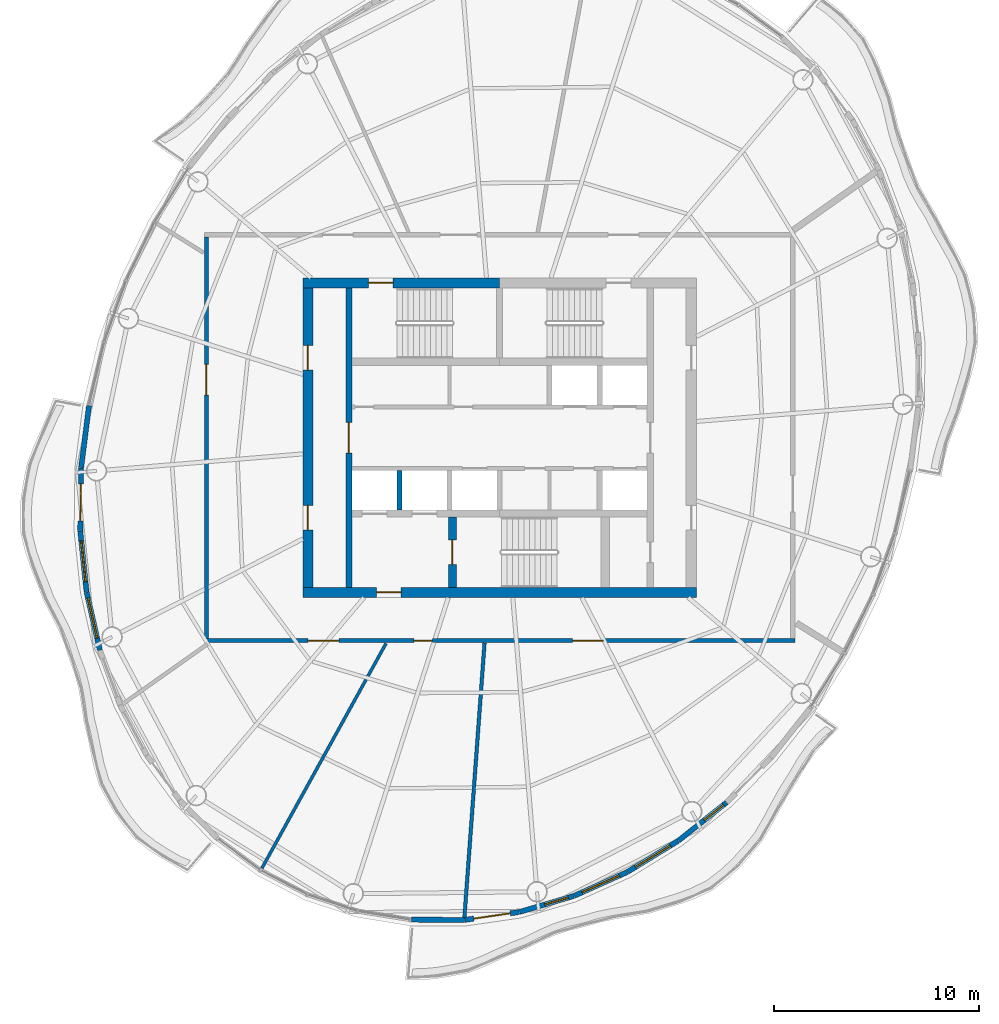
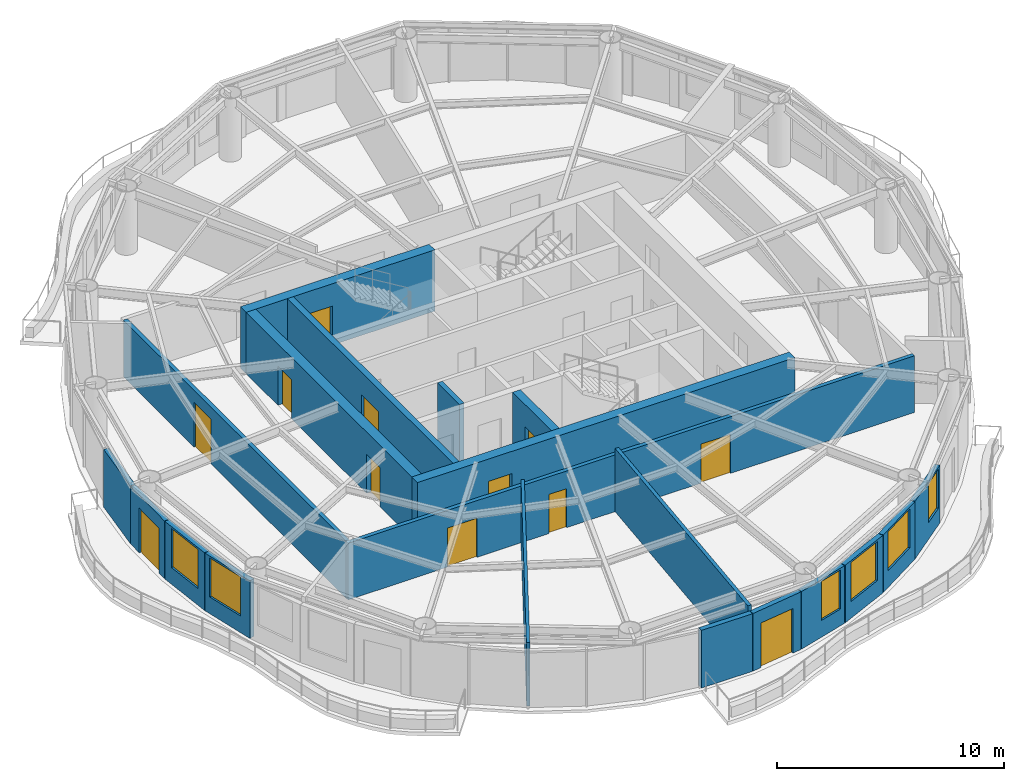
# One storey, part 7 of 13: 20 walls, 12 doors, 6 windows, 18 openings.
"""IFC4 building model written with IfcOpenShell, lengths in metres."""

from ifc_helpers import new_model, si_unit, direction, frame, frame_2d, origin, place, context, subcontext, project, spatial, rectangle, extrude, material, layer, layer_set, type_object, element, fill, save


model = new_model("IFC4")

# Units and contexts
model_context = context("Model", 3, precision=1e-05, world=origin(), true_north=direction((0.0, 1.0)))
body_context = subcontext(model_context, "Body", "Model", "MODEL_VIEW")
ifc_project = project(units=[si_unit("LENGTHUNIT", "METRE"), si_unit("AREAUNIT", "SQUARE_METRE"), si_unit("VOLUMEUNIT", "CUBIC_METRE"), si_unit("PLANEANGLEUNIT", "RADIAN"), si_unit("MASSUNIT", "GRAM", prefix="KILO")], contexts=[model_context])

# Site, building, storey
site_placement = place(None, origin())
site = spatial("IfcSite", under=ifc_project, at=site_placement, CompositionType="ELEMENT")
building_placement = place(site_placement, origin())
building = spatial("IfcBuilding", under=site, at=building_placement, Name="Vermilion Reach Broadcast Tower", CompositionType="ELEMENT")
storey_placement = place(building_placement, frame((0.0, 0.0, 300.89990234375)))
storey = spatial("IfcBuildingStorey", under=building, at=storey_placement, Name="L75", CompositionType="ELEMENT", Elevation=300.89990234375)

# Wall, opening, door
ifc_material_1 = material(Name="Concrete C50", Category="concrete")
ifc_layer_1 = layer(ifc_material_1, 0.300048828125)
ifc_layer_set_1 = layer_set([ifc_layer_1], Name="Core inner wall 300 mm Concrete C50")
wall_type_1 = type_object("IfcWallType", Name="Core inner wall 300 mm Concrete C50", PredefinedType="SHEAR", material=ifc_layer_set_1)
wall_1_placement = place(storey_placement, frame((-13.35009765625, 7.300048828125, 0.0), z_axis=(0.0, 0.0, 1.0), x_axis=(0.0, -1.0, 0.0)))
wall_1 = element("IfcWall", 1, at=wall_1_placement, inside=storey, type_object=wall_type_1, Name="L75 core wall ewW", PredefinedType="SHEAR", context=body_context, shape_type="SweptSolid", body=[
    extrude(rectangle(XDim=14.60009765625, YDim=0.300048828125, at=frame_2d((7.300048828125, 0.0))), origin(), (0.0, 0.0, 1.0), 3.300048828125),
])
opening_1_placement = place(wall_1_placement, frame((6.550048828125, 0.0, 0.0)))
opening_1 = element("IfcOpeningElement", 2, at=opening_1_placement, cuts=wall_1, Name="Opening D04", PredefinedType="OPENING", context=body_context, shape_type="SweptSolid", body=[
    extrude(rectangle(XDim=1.5, YDim=2.10009765625, at=frame_2d((0.75, 1.050048828125))), frame((0.0, 0.159912109375, 0.0), z_axis=(0.0, -1.0, 0.0), x_axis=(1.0, 0.0, 0.0)), (0.0, 0.0, 1.0), 0.320068359375),
])
ifc_material_2 = material(Name="Painted steel fire door", Category="steel")
door_type_1 = type_object("IfcDoorType", Name="Lift lobby door 1500 x 2100", OperationType="DOUBLE_DOOR_SINGLE_SWING", PredefinedType="NOTDEFINED", material=ifc_material_2)
door_1_placement = place(opening_1_placement, origin())
door_1 = element("IfcDoor", 3, at=door_1_placement, inside=storey, type_object=door_type_1, Name="L75 band door BW", OperationType="DOUBLE_DOOR_SINGLE_SWING", OverallHeight=2.10009765625, OverallWidth=1.5, PredefinedType="NOTDEFINED", context=body_context, shape_type="SweptSolid", body=[
    extrude(rectangle(XDim=1.5, YDim=2.10009765625, at=frame_2d((0.75, 1.050048828125))), frame((0.0, 0.02490234375, 0.0), z_axis=(0.0, -1.0, 0.0), x_axis=(1.0, 0.0, 0.0)), (0.0, 0.0, 1.0), 0.050048828125),
])
fill(opening_1, door_1)

ifc_material_3 = material(Name="Concrete C50", Category="concrete")
ifc_layer_2 = layer(ifc_material_3, 0.39990234375)
ifc_layer_set_2 = layer_set([ifc_layer_2], Name="Core inner wall 400 mm Concrete C50")
wall_type_2 = type_object("IfcWallType", Name="Core inner wall 400 mm Concrete C50", PredefinedType="SHEAR", material=ifc_layer_set_2)
wall_2_placement = place(storey_placement, frame((-8.300048828125, -3.8798828125, 0.0), z_axis=(0.0, 0.0, 1.0), x_axis=(0.0, -1.0, 0.0)))
wall_2 = element("IfcWall", 4, at=wall_2_placement, inside=storey, type_object=wall_type_2, Name="L75 core wall wa", PredefinedType="SHEAR", context=body_context, shape_type="SweptSolid", body=[
    extrude(rectangle(XDim=3.420166015625, YDim=0.39990234375, at=frame_2d((1.7099609375, 0.0))), origin(), (0.0, 0.0, 1.0), 3.300048828125),
])
opening_2_placement = place(wall_2_placement, frame((1.110107421875, 0.0, 0.0)))
opening_2 = element("IfcOpeningElement", 5, at=opening_2_placement, cuts=wall_2, Name="Opening D01", PredefinedType="OPENING", context=body_context, shape_type="SweptSolid", body=[
    extrude(rectangle(XDim=1.199951171875, YDim=2.10009765625, at=frame_2d((0.60009765625, 1.050048828125))), frame((0.0, 0.2099609375, 0.0), z_axis=(0.0, -1.0, 0.0), x_axis=(1.0, 0.0, 0.0)), (0.0, 0.0, 1.0), 0.419921875),
])
ifc_material_4 = material(Name="Painted steel fire door", Category="steel")
door_type_2 = type_object("IfcDoorType", Name="Stair door 1200 x 2100", OperationType="DOUBLE_DOOR_SINGLE_SWING", PredefinedType="NOTDEFINED", material=ifc_material_4)
door_2_placement = place(opening_2_placement, origin())
door_2 = element("IfcDoor", 6, at=door_2_placement, inside=storey, type_object=door_type_2, Name="L75 stair door ST3", OperationType="DOUBLE_DOOR_SINGLE_SWING", OverallHeight=2.10009765625, OverallWidth=1.199951171875, PredefinedType="NOTDEFINED", context=body_context, shape_type="SweptSolid", body=[
    extrude(rectangle(XDim=1.199951171875, YDim=2.10009765625, at=frame_2d((0.60009765625, 1.050048828125))), frame((0.0, 0.02490234375, 0.0), z_axis=(0.0, -1.0, 0.0), x_axis=(1.0, 0.0, 0.0)), (0.0, 0.0, 1.0), 0.050048828125),
])
fill(opening_2, door_2)

ifc_material_5 = material(Name="Concrete C50", Category="concrete")
ifc_layer_3 = layer(ifc_material_5, 0.5)
ifc_layer_set_3 = layer_set([ifc_layer_3], Name="Core outer wall 500 mm Concrete C50")
wall_type_3 = type_object("IfcWallType", Name="Core outer wall 500 mm Concrete C50", PredefinedType="SHEAR", material=ifc_layer_set_3)
wall_3_placement = place(storey_placement, frame((-6.0, 7.550048828125, 0.0), z_axis=(0.0, 0.0, 1.0), x_axis=(-1.0, 0.0, 0.0)))
wall_3 = element("IfcWall", 7, at=wall_3_placement, inside=storey, type_object=wall_type_3, Name="L75 core wall onW", PredefinedType="SHEAR", context=body_context, shape_type="SweptSolid", body=[
    extrude(rectangle(XDim=9.60009765625, YDim=0.5, at=frame_2d((4.800048828125, 0.0))), origin(), (0.0, 0.0, 1.0), 3.300048828125),
])
opening_3_placement = place(wall_3_placement, frame((5.199951171875, 0.0, 0.0)))
opening_3 = element("IfcOpeningElement", 8, at=opening_3_placement, cuts=wall_3, Name="Opening D01", PredefinedType="OPENING", context=body_context, shape_type="SweptSolid", body=[
    extrude(rectangle(XDim=1.199951171875, YDim=2.10009765625, at=frame_2d((0.60009765625, 1.050048828125))), frame((0.0, 0.260009765625, 0.0), z_axis=(0.0, -1.0, 0.0), x_axis=(1.0, 0.0, 0.0)), (0.0, 0.0, 1.0), 0.52001953125),
])
door_3_placement = place(opening_3_placement, origin())
door_3 = element("IfcDoor", 9, at=door_3_placement, inside=storey, type_object=door_type_2, Name="L75 stair door ST1", OperationType="DOUBLE_DOOR_SINGLE_SWING", OverallHeight=2.10009765625, OverallWidth=1.199951171875, PredefinedType="NOTDEFINED", context=body_context, shape_type="SweptSolid", body=[
    extrude(rectangle(XDim=1.199951171875, YDim=2.10009765625, at=frame_2d((0.60009765625, 1.050048828125))), frame((0.0, 0.02490234375, 0.0), z_axis=(0.0, -1.0, 0.0), x_axis=(1.0, 0.0, 0.0)), (0.0, 0.0, 1.0), 0.050048828125),
])
fill(opening_3, door_3)

wall_4_placement = place(storey_placement, frame((-15.60009765625, -7.550048828125, 0.0), z_axis=(0.0, 0.0, 1.0), x_axis=(1.0, 0.0, 0.0)))
wall_4 = element("IfcWall", 10, at=wall_4_placement, inside=storey, type_object=wall_type_3, Name="L75 core wall os", PredefinedType="SHEAR", context=body_context, shape_type="SweptSolid", body=[
    extrude(rectangle(XDim=19.2001953125, YDim=0.5, at=frame_2d((9.60009765625, 0.0))), origin(), (0.0, 0.0, 1.0), 3.300048828125),
])
opening_4_placement = place(wall_4_placement, frame((3.60009765625, 0.0, 0.0)))
opening_4 = element("IfcOpeningElement", 11, at=opening_4_placement, cuts=wall_4, Name="Opening D02", PredefinedType="OPENING", context=body_context, shape_type="SweptSolid", body=[
    extrude(rectangle(XDim=1.199951171875, YDim=2.10009765625, at=frame_2d((0.60009765625, 1.050048828125))), frame((0.0, 0.260009765625, 0.0), z_axis=(0.0, -1.0, 0.0), x_axis=(1.0, 0.0, 0.0)), (0.0, 0.0, 1.0), 0.52001953125),
])
ifc_material_6 = material(Name="Painted steel fire door", Category="steel")
door_type_3 = type_object("IfcDoorType", Name="Firefighting lobby door 1200 x 2100", OperationType="DOUBLE_DOOR_SINGLE_SWING", PredefinedType="NOTDEFINED", material=ifc_material_6)
door_4_placement = place(opening_4_placement, origin())
door_4 = element("IfcDoor", 12, at=door_4_placement, inside=storey, type_object=door_type_3, Name="L75 ffdoor door FFL", OperationType="DOUBLE_DOOR_SINGLE_SWING", OverallHeight=2.10009765625, OverallWidth=1.199951171875, PredefinedType="NOTDEFINED", context=body_context, shape_type="SweptSolid", body=[
    extrude(rectangle(XDim=1.199951171875, YDim=2.10009765625, at=frame_2d((0.60009765625, 1.050048828125))), frame((0.0, 0.02490234375, 0.0), z_axis=(0.0, -1.0, 0.0), x_axis=(1.0, 0.0, 0.0)), (0.0, 0.0, 1.0), 0.050048828125),
])
fill(opening_4, door_4)

# Wall, openings, doors
wall_5_placement = place(storey_placement, frame((-15.35009765625, 7.300048828125, 0.0), z_axis=(0.0, 0.0, 1.0), x_axis=(0.0, -1.0, 0.0)))
wall_5 = element("IfcWall", 13, at=wall_5_placement, inside=storey, type_object=wall_type_3, Name="L75 core wall ow", PredefinedType="SHEAR", context=body_context, shape_type="SweptSolid", body=[
    extrude(rectangle(XDim=14.60009765625, YDim=0.5, at=frame_2d((7.300048828125, 0.0))), origin(), (0.0, 0.0, 1.0), 3.300048828125),
])
opening_5_placement = place(wall_5_placement, frame((10.60009765625, 0.0, 0.0)))
opening_5 = element("IfcOpeningElement", 14, at=opening_5_placement, cuts=wall_5, Name="Opening D03", PredefinedType="OPENING", context=body_context, shape_type="SweptSolid", body=[
    extrude(rectangle(XDim=1.199951171875, YDim=2.10009765625, at=frame_2d((0.60009765625, 1.050048828125))), frame((0.0, 0.260009765625, 0.0), z_axis=(0.0, -1.0, 0.0), x_axis=(1.0, 0.0, 0.0)), (0.0, 0.0, 1.0), 0.52001953125),
])
opening_6_placement = place(wall_5_placement, frame((2.800048828125, 0.0, 0.0)))
opening_6 = element("IfcOpeningElement", 15, at=opening_6_placement, cuts=wall_5, Name="Opening D03", PredefinedType="OPENING", context=body_context, shape_type="SweptSolid", body=[
    extrude(rectangle(XDim=1.199951171875, YDim=2.10009765625, at=frame_2d((0.60009765625, 1.050048828125))), frame((0.0, 0.260009765625, 0.0), z_axis=(0.0, -1.0, 0.0), x_axis=(1.0, 0.0, 0.0)), (0.0, 0.0, 1.0), 0.52001953125),
])
ifc_material_7 = material(Name="Painted steel fire door", Category="steel")
door_type_4 = type_object("IfcDoorType", Name="Core lobby door 1200 x 2100", OperationType="DOUBLE_DOOR_SINGLE_SWING", PredefinedType="NOTDEFINED", material=ifc_material_7)
door_5_placement = place(opening_5_placement, origin())
door_5 = element("IfcDoor", 16, at=door_5_placement, inside=storey, type_object=door_type_4, Name="L75 slot door W0", OperationType="DOUBLE_DOOR_SINGLE_SWING", OverallHeight=2.10009765625, OverallWidth=1.199951171875, PredefinedType="NOTDEFINED", context=body_context, shape_type="SweptSolid", body=[
    extrude(rectangle(XDim=1.199951171875, YDim=2.10009765625, at=frame_2d((0.60009765625, 1.050048828125))), frame((0.0, 0.02490234375, 0.0), z_axis=(0.0, -1.0, 0.0), x_axis=(1.0, 0.0, 0.0)), (0.0, 0.0, 1.0), 0.050048828125),
])
fill(opening_5, door_5)
door_6_placement = place(opening_6_placement, origin())
door_6 = element("IfcDoor", 17, at=door_6_placement, inside=storey, type_object=door_type_4, Name="L75 slot door W1", OperationType="DOUBLE_DOOR_SINGLE_SWING", OverallHeight=2.10009765625, OverallWidth=1.199951171875, PredefinedType="NOTDEFINED", context=body_context, shape_type="SweptSolid", body=[
    extrude(rectangle(XDim=1.199951171875, YDim=2.10009765625, at=frame_2d((0.60009765625, 1.050048828125))), frame((0.0, 0.02490234375, 0.0), z_axis=(0.0, -1.0, 0.0), x_axis=(1.0, 0.0, 0.0)), (0.0, 0.0, 1.0), 0.050048828125),
])
fill(opening_6, door_6)

# Walls
ifc_material_8 = material(Name="Concrete C50", Category="concrete")
ifc_layer_4 = layer(ifc_material_8, 0.25)
ifc_layer_set_4 = layer_set([ifc_layer_4], Name="Core shaft wall 250 mm Concrete C50")
wall_type_4 = type_object("IfcWallType", Name="Core shaft wall 250 mm Concrete C50", PredefinedType="SHEAR", material=ifc_layer_set_4)
wall_6_placement = place(storey_placement, frame((-10.88330078125, -1.60009765625, 0.0), z_axis=(0.0, 0.0, 1.0), x_axis=(0.0, -1.0, 0.0)))
element("IfcWall", 18, at=wall_6_placement, inside=storey, type_object=wall_type_4, Name="L75 core wall psS0", PredefinedType="SHEAR", context=body_context, shape_type="SweptSolid", body=[
    extrude(rectangle(XDim=1.929931640625, YDim=0.25, at=frame_2d((0.96484375, 0.0))), origin(), (0.0, 0.0, 1.0), 3.300048828125),
])
ifc_material_9 = material(Name="Lightweight concrete block, plastered", Category="concrete")
ifc_layer_5 = layer(ifc_material_9, 0.14990234375)
ifc_layer_set_5 = layer_set([ifc_layer_5], Name="Partition 150 lightweight block")
wall_type_5 = type_object("IfcWallType", Name="Partition 150 lightweight block", PredefinedType="PARTITIONING", material=ifc_layer_set_5)
wall_7_placement = place(storey_placement, frame((-17.59423828125, -20.998779296875, 0.0), z_axis=(0.0, 0.0, 1.0), x_axis=(0.483345323909, 0.87542977894, 0.0)))
element("IfcWall", 19, at=wall_7_placement, inside=storey, type_object=wall_type_5, Name="Partition 75.05", PredefinedType="PARTITIONING", context=body_context, shape_type="SweptSolid", body=[
    extrude(rectangle(XDim=12.522705078125, YDim=0.14990234375, at=frame_2d((6.26123046875, 0.0))), origin(), (0.0, 0.0, 1.0), 3.400146484375),
])
ifc_material_10 = material(Name="Fire-rated block, plastered")
ifc_layer_6 = layer(ifc_material_10, 0.175048828125)
ifc_layer_set_6 = layer_set([ifc_layer_6], Name="Partition 175 fire-rated block")
wall_type_6 = type_object("IfcWallType", Name="Partition 175 fire-rated block", PredefinedType="PARTITIONING", material=ifc_layer_set_6)
wall_8_placement = place(storey_placement, frame((-7.71728515625, -23.400146484375, 0.0), z_axis=(0.0, 0.0, 1.0), x_axis=(0.07318865365, 0.997318114233, 0.0)))
element("IfcWall", 20, at=wall_8_placement, inside=storey, type_object=wall_type_6, Name="Partition 75.06", PredefinedType="PARTITIONING", context=body_context, shape_type="SweptSolid", body=[
    extrude(rectangle(XDim=13.429931640625, YDim=0.175048828125, at=frame_2d((6.71484375, 0.0))), origin(), (0.0, 0.0, 1.0), 3.400146484375),
])
ifc_material_11 = material(Name="Terracotta rainscreen cladding", Category="masonry")
ifc_layer_7 = layer(ifc_material_11, 0.25)
ifc_layer_set_7 = layer_set([ifc_layer_7], Name="Terracotta rainscreen wall 250")
wall_type_7 = type_object("IfcWallType", Name="Terracotta rainscreen wall 250", PredefinedType="SOLIDWALL", material=ifc_layer_set_7)
wall_9_placement = place(storey_placement, frame((-26.029541015625, 1.55908203125, 0.0), z_axis=(0.0, 0.0, 1.0), x_axis=(-0.126311602656, -0.991990614388, 0.0)))
element("IfcWall", 21, at=wall_9_placement, inside=storey, type_object=wall_type_7, Name="External wall L75 14", PredefinedType="SOLIDWALL", context=body_context, shape_type="SweptSolid", body=[
    extrude(rectangle(XDim=3.048095703125, YDim=0.25, at=frame_2d((1.52392578125, 0.0))), origin(), (0.0, 0.0, 1.0), 3.10009765625),
])

# Wall, opening, door
wall_10_placement = place(storey_placement, frame((-26.416015625, -1.486572265625, 0.0), z_axis=(0.0, 0.0, 1.0), x_axis=(-0.013889779276, -0.999903532363, 0.0)))
wall_10 = element("IfcWall", 22, at=wall_10_placement, inside=storey, type_object=wall_type_7, Name="External wall L75 15", PredefinedType="SOLIDWALL", context=body_context, shape_type="SweptSolid", body=[
    extrude(rectangle(XDim=3.040771484375, YDim=0.25, at=frame_2d((1.5205078125, 0.0))), origin(), (0.0, 0.0, 1.0), 3.10009765625),
])
opening_7_placement = place(wall_10_placement, frame((0.77001953125, 0.0, 0.0)))
opening_7 = element("IfcOpeningElement", 23, at=opening_7_placement, cuts=wall_10, Name="Opening D70", PredefinedType="OPENING", context=body_context, shape_type="SweptSolid", body=[
    extrude(rectangle(XDim=1.800048828125, YDim=2.39990234375, at=frame_2d((0.89990234375, 1.199951171875))), frame((0.0, 0.135009765625, 0.0), z_axis=(0.0, -1.0, 0.0), x_axis=(1.0, 0.0, 0.0)), (0.0, 0.0, 1.0), 0.27001953125),
])
ifc_material_12 = material(Name="Low-e laminated clear glass in aluminium frame", Category="aluminium")
door_type_5 = type_object("IfcDoorType", Name="Balcony sliding door 1800 x 2400", OperationType="DOUBLE_DOOR_SLIDING", PredefinedType="DOOR", material=ifc_material_12)
door_7_placement = place(opening_7_placement, origin())
door_7 = element("IfcDoor", 24, at=door_7_placement, inside=storey, type_object=door_type_5, Name="Balcony door L75 run 04", OperationType="DOUBLE_DOOR_SLIDING", OverallHeight=2.39990234375, OverallWidth=1.800048828125, PredefinedType="DOOR", context=body_context, shape_type="SweptSolid", body=[
    extrude(rectangle(XDim=1.800048828125, YDim=2.39990234375, at=frame_2d((0.89990234375, 1.199951171875))), frame((0.0, 0.02490234375, 0.0), z_axis=(0.0, -1.0, 0.0), x_axis=(1.0, 0.0, 0.0)), (0.0, 0.0, 1.0), 0.050048828125),
])
fill(opening_7, door_7)

# Wall, opening, window
wall_11_placement = place(storey_placement, frame((-26.457275390625, -4.549560546875, 0.0), z_axis=(0.0, 0.0, 1.0), x_axis=(0.102767633089, -0.994705390349, 0.0)))
wall_11 = element("IfcWall", 25, at=wall_11_placement, inside=storey, type_object=wall_type_7, Name="External wall L75 16", PredefinedType="SOLIDWALL", context=body_context, shape_type="SweptSolid", body=[
    extrude(rectangle(XDim=2.976806640625, YDim=0.25, at=frame_2d((1.48828125, 0.0))), origin(), (0.0, 0.0, 1.0), 3.10009765625),
])
opening_8_placement = place(wall_11_placement, frame((0.48828125, 0.0, 0.89990234375)))
opening_8 = element("IfcOpeningElement", 26, at=opening_8_placement, cuts=wall_11, Name="Opening W03", PredefinedType="OPENING", context=body_context, shape_type="SweptSolid", body=[
    extrude(rectangle(XDim=2.0, YDim=2.10009765625, at=frame_2d((1.0, 1.050048828125))), frame((0.0, 0.135009765625, 0.0), z_axis=(0.0, -1.0, 0.0), x_axis=(1.0, 0.0, 0.0)), (0.0, 0.0, 1.0), 0.27001953125),
])
ifc_material_13 = material(Name="Low-e laminated clear glass in aluminium frame", Category="aluminium")
window_type_1 = type_object("IfcWindowType", Name="Punched window 2000 x 2100 sill 900", PartitioningType="SINGLE_PANEL", PredefinedType="WINDOW", material=ifc_material_13)
window_1_placement = place(opening_8_placement, origin())
window_1 = element("IfcWindow", 27, at=window_1_placement, inside=storey, type_object=window_type_1, Name="Window L75 16", OverallHeight=2.10009765625, OverallWidth=2.0, PartitioningType="SINGLE_PANEL", PredefinedType="WINDOW", context=body_context, shape_type="SweptSolid", body=[
    extrude(rectangle(XDim=2.0, YDim=2.10009765625, at=frame_2d((1.0, 1.050048828125))), frame((0.0, 0.030029296875, 0.0), z_axis=(0.0, -1.0, 0.0), x_axis=(1.0, 0.0, 0.0)), (0.0, 0.0, 1.0), 0.06005859375),
])
fill(opening_8, window_1)

wall_12_placement = place(storey_placement, frame((-26.1474609375, -7.533447265625, 0.0), z_axis=(0.0, 0.0, 1.0), x_axis=(0.223256314802, -0.974759774458, 0.0)))
wall_12 = element("IfcWall", 28, at=wall_12_placement, inside=storey, type_object=wall_type_7, Name="External wall L75 17", PredefinedType="SOLIDWALL", context=body_context, shape_type="SweptSolid", body=[
    extrude(rectangle(XDim=2.9033203125, YDim=0.25, at=frame_2d((1.45166015625, 0.0))), origin(), (0.0, 0.0, 1.0), 3.10009765625),
])
opening_9_placement = place(wall_12_placement, frame((0.302001953125, 0.0, 0.89990234375)))
opening_9 = element("IfcOpeningElement", 29, at=opening_9_placement, cuts=wall_12, Name="Opening W03", PredefinedType="OPENING", context=body_context, shape_type="SweptSolid", body=[
    extrude(rectangle(XDim=2.0, YDim=2.10009765625, at=frame_2d((1.0, 1.050048828125))), frame((0.0, 0.135009765625, 0.0), z_axis=(0.0, -1.0, 0.0), x_axis=(1.0, 0.0, 0.0)), (0.0, 0.0, 1.0), 0.27001953125),
])
window_2_placement = place(opening_9_placement, origin())
window_2 = element("IfcWindow", 30, at=window_2_placement, inside=storey, type_object=window_type_1, Name="Window L75 17", OverallHeight=2.10009765625, OverallWidth=2.0, PartitioningType="SINGLE_PANEL", PredefinedType="WINDOW", context=body_context, shape_type="SweptSolid", body=[
    extrude(rectangle(XDim=2.0, YDim=2.10009765625, at=frame_2d((1.0, 1.050048828125))), frame((0.0, 0.030029296875, 0.0), z_axis=(0.0, -1.0, 0.0), x_axis=(1.0, 0.0, 0.0)), (0.0, 0.0, 1.0), 0.06005859375),
])
fill(opening_9, window_2)

# Wall
wall_13_placement = place(storey_placement, frame((-10.29736328125, -23.511474609375, 0.0), z_axis=(0.0, 0.0, 1.0), x_axis=(0.999986408608, -0.005213693476, 0.0)))
element("IfcWall", 31, at=wall_13_placement, inside=storey, type_object=wall_type_7, Name="External wall L75 26", PredefinedType="SOLIDWALL", context=body_context, shape_type="SweptSolid", body=[
    extrude(rectangle(XDim=2.575439453125, YDim=0.25, at=frame_2d((1.28759765625, 0.0))), origin(), (0.0, 0.0, 1.0), 3.10009765625),
])

# Wall, opening, door
wall_14_placement = place(storey_placement, frame((-7.6953125, -23.52294921875, 0.0), z_axis=(0.0, 0.0, 1.0), x_axis=(0.989681415389, 0.143285365734, 0.0)))
wall_14 = element("IfcWall", 32, at=wall_14_placement, inside=storey, type_object=wall_type_7, Name="External wall L75 27", PredefinedType="SOLIDWALL", context=body_context, shape_type="SweptSolid", body=[
    extrude(rectangle(XDim=2.6767578125, YDim=0.25, at=frame_2d((1.33837890625, 0.0))), origin(), (0.0, 0.0, 1.0), 3.10009765625),
])
opening_10_placement = place(wall_14_placement, frame((0.43798828125, 0.0, 0.0)))
opening_10 = element("IfcOpeningElement", 33, at=opening_10_placement, cuts=wall_14, Name="Opening D70", PredefinedType="OPENING", context=body_context, shape_type="SweptSolid", body=[
    extrude(rectangle(XDim=1.800048828125, YDim=2.39990234375, at=frame_2d((0.89990234375, 1.199951171875))), frame((0.0, 0.135009765625, 0.0), z_axis=(0.0, -1.0, 0.0), x_axis=(1.0, 0.0, 0.0)), (0.0, 0.0, 1.0), 0.27001953125),
])
door_8_placement = place(opening_10_placement, origin())
door_8 = element("IfcDoor", 34, at=door_8_placement, inside=storey, type_object=door_type_5, Name="Balcony door L75 run 07", OperationType="DOUBLE_DOOR_SLIDING", OverallHeight=2.39990234375, OverallWidth=1.800048828125, PredefinedType="DOOR", context=body_context, shape_type="SweptSolid", body=[
    extrude(rectangle(XDim=1.800048828125, YDim=2.39990234375, at=frame_2d((0.89990234375, 1.199951171875))), frame((0.0, 0.02490234375, 0.0), z_axis=(0.0, -1.0, 0.0), x_axis=(1.0, 0.0, 0.0)), (0.0, 0.0, 1.0), 0.050048828125),
])
fill(opening_10, door_8)

# Wall, opening, window
wall_15_placement = place(storey_placement, frame((-5.02099609375, -23.1337890625, 0.0), z_axis=(0.0, 0.0, 1.0), x_axis=(0.959345694886, 0.282233657992, 0.0)))
wall_15 = element("IfcWall", 35, at=wall_15_placement, inside=storey, type_object=wall_type_7, Name="External wall L75 28", PredefinedType="SOLIDWALL", context=body_context, shape_type="SweptSolid", body=[
    extrude(rectangle(XDim=2.748291015625, YDim=0.25, at=frame_2d((1.3740234375, 0.0))), origin(), (0.0, 0.0, 1.0), 3.10009765625),
])
opening_11_placement = place(wall_15_placement, frame((1.27392578125, 0.0, 0.89990234375)))
opening_11 = element("IfcOpeningElement", 36, at=opening_11_placement, cuts=wall_15, Name="Opening W05", PredefinedType="OPENING", context=body_context, shape_type="SweptSolid", body=[
    extrude(rectangle(XDim=1.199951171875, YDim=2.10009765625, at=frame_2d((0.60009765625, 1.050048828125))), frame((0.0, 0.135009765625, 0.0), z_axis=(0.0, -1.0, 0.0), x_axis=(1.0, 0.0, 0.0)), (0.0, 0.0, 1.0), 0.27001953125),
])
ifc_material_14 = material(Name="Low-e laminated clear glass in aluminium frame", Category="aluminium")
window_type_2 = type_object("IfcWindowType", Name="Punched window 1200 x 2100 sill 900", PartitioningType="SINGLE_PANEL", PredefinedType="WINDOW", material=ifc_material_14)
window_3_placement = place(opening_11_placement, origin())
window_3 = element("IfcWindow", 37, at=window_3_placement, inside=storey, type_object=window_type_2, Name="Window L75 28", OverallHeight=2.10009765625, OverallWidth=1.199951171875, PartitioningType="SINGLE_PANEL", PredefinedType="WINDOW", context=body_context, shape_type="SweptSolid", body=[
    extrude(rectangle(XDim=1.199951171875, YDim=2.10009765625, at=frame_2d((0.60009765625, 1.050048828125))), frame((0.0, 0.030029296875, 0.0), z_axis=(0.0, -1.0, 0.0), x_axis=(1.0, 0.0, 0.0)), (0.0, 0.0, 1.0), 0.06005859375),
])
fill(opening_11, window_3)

wall_16_placement = place(storey_placement, frame((-2.361328125, -22.349609375, 0.0), z_axis=(0.0, 0.0, 1.0), x_axis=(0.912517109303, 0.409038537585, 0.0)))
wall_16 = element("IfcWall", 38, at=wall_16_placement, inside=storey, type_object=wall_type_7, Name="External wall L75 29", PredefinedType="SOLIDWALL", context=body_context, shape_type="SweptSolid", body=[
    extrude(rectangle(XDim=2.825439453125, YDim=0.25, at=frame_2d((1.41259765625, 0.0))), origin(), (0.0, 0.0, 1.0), 3.10009765625),
])
opening_12_placement = place(wall_16_placement, frame((0.412841796875, 0.0, 0.89990234375)))
opening_12 = element("IfcOpeningElement", 39, at=opening_12_placement, cuts=wall_16, Name="Opening W03", PredefinedType="OPENING", context=body_context, shape_type="SweptSolid", body=[
    extrude(rectangle(XDim=2.0, YDim=2.10009765625, at=frame_2d((1.0, 1.050048828125))), frame((0.0, 0.135009765625, 0.0), z_axis=(0.0, -1.0, 0.0), x_axis=(1.0, 0.0, 0.0)), (0.0, 0.0, 1.0), 0.27001953125),
])
window_4_placement = place(opening_12_placement, origin())
window_4 = element("IfcWindow", 40, at=window_4_placement, inside=storey, type_object=window_type_1, Name="Window L75 29", OverallHeight=2.10009765625, OverallWidth=2.0, PartitioningType="SINGLE_PANEL", PredefinedType="WINDOW", context=body_context, shape_type="SweptSolid", body=[
    extrude(rectangle(XDim=2.0, YDim=2.10009765625, at=frame_2d((1.0, 1.050048828125))), frame((0.0, 0.030029296875, 0.0), z_axis=(0.0, -1.0, 0.0), x_axis=(1.0, 0.0, 0.0)), (0.0, 0.0, 1.0), 0.06005859375),
])
fill(opening_12, window_4)

wall_17_placement = place(storey_placement, frame((0.23828125, -21.1826171875, 0.0), z_axis=(0.0, 0.0, 1.0), x_axis=(0.852693082588, 0.522412200189, 0.0)))
wall_17 = element("IfcWall", 41, at=wall_17_placement, inside=storey, type_object=wall_type_7, Name="External wall L75 30", PredefinedType="SOLIDWALL", context=body_context, shape_type="SweptSolid", body=[
    extrude(rectangle(XDim=2.903564453125, YDim=0.25, at=frame_2d((1.45166015625, 0.0))), origin(), (0.0, 0.0, 1.0), 3.10009765625),
])
opening_13_placement = place(wall_17_placement, frame((0.45166015625, 0.0, 0.89990234375)))
opening_13 = element("IfcOpeningElement", 42, at=opening_13_placement, cuts=wall_17, Name="Opening W03", PredefinedType="OPENING", context=body_context, shape_type="SweptSolid", body=[
    extrude(rectangle(XDim=2.0, YDim=2.10009765625, at=frame_2d((1.0, 1.050048828125))), frame((0.0, 0.135009765625, 0.0), z_axis=(0.0, -1.0, 0.0), x_axis=(1.0, 0.0, 0.0)), (0.0, 0.0, 1.0), 0.27001953125),
])
window_5_placement = place(opening_13_placement, origin())
window_5 = element("IfcWindow", 43, at=window_5_placement, inside=storey, type_object=window_type_1, Name="Window L75 30", OverallHeight=2.10009765625, OverallWidth=2.0, PartitioningType="SINGLE_PANEL", PredefinedType="WINDOW", context=body_context, shape_type="SweptSolid", body=[
    extrude(rectangle(XDim=2.0, YDim=2.10009765625, at=frame_2d((1.0, 1.050048828125))), frame((0.0, 0.030029296875, 0.0), z_axis=(0.0, -1.0, 0.0), x_axis=(1.0, 0.0, 0.0)), (0.0, 0.0, 1.0), 0.06005859375),
])
fill(opening_13, window_5)

wall_18_placement = place(storey_placement, frame((2.733154296875, -19.65234375, 0.0), z_axis=(0.0, 0.0, 1.0), x_axis=(0.782610135425, 0.622512149222, 0.0)))
wall_18 = element("IfcWall", 44, at=wall_18_placement, inside=storey, type_object=wall_type_7, Name="External wall L75 31", PredefinedType="SOLIDWALL", context=body_context, shape_type="SweptSolid", body=[
    extrude(rectangle(XDim=2.976806640625, YDim=0.25, at=frame_2d((1.48828125, 0.0))), origin(), (0.0, 0.0, 1.0), 3.10009765625),
])
opening_14_placement = place(wall_18_placement, frame((1.587890625, 0.0, 0.89990234375)))
opening_14 = element("IfcOpeningElement", 45, at=opening_14_placement, cuts=wall_18, Name="Opening W05", PredefinedType="OPENING", context=body_context, shape_type="SweptSolid", body=[
    extrude(rectangle(XDim=1.199951171875, YDim=2.10009765625, at=frame_2d((0.60009765625, 1.050048828125))), frame((0.0, 0.135009765625, 0.0), z_axis=(0.0, -1.0, 0.0), x_axis=(1.0, 0.0, 0.0)), (0.0, 0.0, 1.0), 0.27001953125),
])
window_6_placement = place(opening_14_placement, origin())
window_6 = element("IfcWindow", 46, at=window_6_placement, inside=storey, type_object=window_type_2, Name="Window L75 31", OverallHeight=2.10009765625, OverallWidth=1.199951171875, PartitioningType="SINGLE_PANEL", PredefinedType="WINDOW", context=body_context, shape_type="SweptSolid", body=[
    extrude(rectangle(XDim=1.199951171875, YDim=2.10009765625, at=frame_2d((0.60009765625, 1.050048828125))), frame((0.0, 0.030029296875, 0.0), z_axis=(0.0, -1.0, 0.0), x_axis=(1.0, 0.0, 0.0)), (0.0, 0.0, 1.0), 0.06005859375),
])
fill(opening_14, window_6)

# Wall, openings, doors
ifc_material_15 = material(Name="Fire-rated gypsum board partition")
ifc_layer_8 = layer(ifc_material_15, 0.199951171875)
ifc_layer_set_8 = layer_set([ifc_layer_8], Name="Under girder: Corridor wall 200 fire-rated")
wall_type_8 = type_object("IfcWallType", Name="Under girder: Corridor wall 200 fire-rated", PredefinedType="PARTITIONING", material=ifc_layer_set_8)
wall_19_placement = place(storey_placement, frame((8.39990234375, -9.89990234375, 0.0), z_axis=(0.0, 0.0, 1.0), x_axis=(-1.0, 0.0, 0.0)))
wall_19 = element("IfcWall", 47, at=wall_19_placement, inside=storey, type_object=wall_type_8, Name="Corridor wall 75.S", PredefinedType="PARTITIONING", context=body_context, shape_type="SweptSolid", body=[
    extrude(rectangle(XDim=28.7998046875, YDim=0.199951171875, at=frame_2d((14.39990234375, 0.0))), origin(), (0.0, 0.0, 1.0), 3.050048828125),
])
opening_15_placement = place(wall_19_placement, frame((22.23583984375, 0.0, 0.0)))
opening_15 = element("IfcOpeningElement", 48, at=opening_15_placement, cuts=wall_19, Name="Opening D24", PredefinedType="OPENING", context=body_context, shape_type="SweptSolid", body=[
    extrude(rectangle(XDim=1.5, YDim=2.10009765625, at=frame_2d((0.75, 1.050048828125))), frame((0.0, 0.10986328125, 0.0), z_axis=(0.0, -1.0, 0.0), x_axis=(1.0, 0.0, 0.0)), (0.0, 0.0, 1.0), 0.219970703125),
])
opening_16_placement = place(wall_19_placement, frame((17.68017578125, 0.0, 0.0)))
opening_16 = element("IfcOpeningElement", 49, at=opening_16_placement, cuts=wall_19, Name="Opening D22", PredefinedType="OPENING", context=body_context, shape_type="SweptSolid", body=[
    extrude(rectangle(XDim=0.89990234375, YDim=2.10009765625, at=frame_2d((0.449951171875, 1.050048828125))), frame((0.0, 0.10986328125, 0.0), z_axis=(0.0, -1.0, 0.0), x_axis=(1.0, 0.0, 0.0)), (0.0, 0.0, 1.0), 0.219970703125),
])
opening_17_placement = place(wall_19_placement, frame((9.34375, 0.0, 0.0)))
opening_17 = element("IfcOpeningElement", 50, at=opening_17_placement, cuts=wall_19, Name="Opening D24", PredefinedType="OPENING", context=body_context, shape_type="SweptSolid", body=[
    extrude(rectangle(XDim=1.5, YDim=2.10009765625, at=frame_2d((0.75, 1.050048828125))), frame((0.0, 0.10986328125, 0.0), z_axis=(0.0, -1.0, 0.0), x_axis=(1.0, 0.0, 0.0)), (0.0, 0.0, 1.0), 0.219970703125),
])
ifc_material_16 = material(Name="Timber door leaf", Category="wood")
door_type_6 = type_object("IfcDoorType", Name="Door pair 1500x2100", OperationType="NOTDEFINED", PredefinedType="DOOR", material=ifc_material_16)
door_9_placement = place(opening_15_placement, origin())
door_9 = element("IfcDoor", 51, at=door_9_placement, inside=storey, type_object=door_type_6, Name="Door 75.04", OperationType="DOUBLE_DOOR_SINGLE_SWING", OverallHeight=2.10009765625, OverallWidth=1.5, PredefinedType="DOOR", context=body_context, shape_type="SweptSolid", body=[
    extrude(rectangle(XDim=1.5, YDim=2.10009765625, at=frame_2d((0.75, 1.050048828125))), frame((0.0, 0.02490234375, 0.0), z_axis=(0.0, -1.0, 0.0), x_axis=(1.0, 0.0, 0.0)), (0.0, 0.0, 1.0), 0.050048828125),
])
fill(opening_15, door_9)
door_10_placement = place(opening_17_placement, origin())
door_10 = element("IfcDoor", 52, at=door_10_placement, inside=storey, type_object=door_type_6, Name="Door 75.06", OperationType="DOUBLE_DOOR_SINGLE_SWING", OverallHeight=2.10009765625, OverallWidth=1.5, PredefinedType="DOOR", context=body_context, shape_type="SweptSolid", body=[
    extrude(rectangle(XDim=1.5, YDim=2.10009765625, at=frame_2d((0.75, 1.050048828125))), frame((0.0, 0.02490234375, 0.0), z_axis=(0.0, -1.0, 0.0), x_axis=(1.0, 0.0, 0.0)), (0.0, 0.0, 1.0), 0.050048828125),
])
fill(opening_17, door_10)
ifc_material_17 = material(Name="Timber door leaf", Category="wood")
door_type_7 = type_object("IfcDoorType", Name="Door single 900x2100", OperationType="NOTDEFINED", PredefinedType="DOOR", material=ifc_material_17)
door_11_placement = place(opening_16_placement, origin())
door_11 = element("IfcDoor", 53, at=door_11_placement, inside=storey, type_object=door_type_7, Name="Door 75.05", OperationType="SINGLE_SWING_RIGHT", OverallHeight=2.10009765625, OverallWidth=0.89990234375, PredefinedType="DOOR", context=body_context, shape_type="SweptSolid", body=[
    extrude(rectangle(XDim=0.89990234375, YDim=2.10009765625, at=frame_2d((0.449951171875, 1.050048828125))), frame((0.0, 0.02490234375, 0.0), z_axis=(0.0, -1.0, 0.0), x_axis=(1.0, 0.0, 0.0)), (0.0, 0.0, 1.0), 0.050048828125),
])
fill(opening_16, door_11)

# Wall, opening, door
wall_20_placement = place(storey_placement, frame((-20.300048828125, -9.800048828125, 0.0), z_axis=(0.0, 0.0, 1.0), x_axis=(0.0, 1.0, 0.0)))
wall_20 = element("IfcWall", 54, at=wall_20_placement, inside=storey, type_object=wall_type_8, Name="Corridor wall 75.W", PredefinedType="PARTITIONING", context=body_context, shape_type="SweptSolid", body=[
    extrude(rectangle(XDim=19.60009765625, YDim=0.199951171875, at=frame_2d((9.800048828125, 0.0))), origin(), (0.0, 0.0, 1.0), 3.050048828125),
])
opening_18_placement = place(wall_20_placement, frame((11.87158203125, 0.0, 0.0)))
opening_18 = element("IfcOpeningElement", 55, at=opening_18_placement, cuts=wall_20, Name="Opening D25", PredefinedType="OPENING", context=body_context, shape_type="SweptSolid", body=[
    extrude(rectangle(XDim=1.5, YDim=2.39990234375, at=frame_2d((0.75, 1.199951171875))), frame((0.0, 0.10986328125, 0.0), z_axis=(0.0, -1.0, 0.0), x_axis=(1.0, 0.0, 0.0)), (0.0, 0.0, 1.0), 0.219970703125),
])
ifc_material_18 = material(Name="Glazed timber door leaf", Category="wood")
door_type_8 = type_object("IfcDoorType", Name="Door pair 1500x2400", OperationType="NOTDEFINED", PredefinedType="DOOR", material=ifc_material_18)
door_12_placement = place(opening_18_placement, origin())
door_12 = element("IfcDoor", 56, at=door_12_placement, inside=storey, type_object=door_type_8, Name="Door 75.03", OperationType="DOUBLE_DOOR_SINGLE_SWING", OverallHeight=2.39990234375, OverallWidth=1.5, PredefinedType="DOOR", context=body_context, shape_type="SweptSolid", body=[
    extrude(rectangle(XDim=1.5, YDim=2.39990234375, at=frame_2d((0.75, 1.199951171875))), frame((0.0, 0.02490234375, 0.0), z_axis=(0.0, -1.0, 0.0), x_axis=(1.0, 0.0, 0.0)), (0.0, 0.0, 1.0), 0.050048828125),
])
fill(opening_18, door_12)

save(model, "model.ifc")
